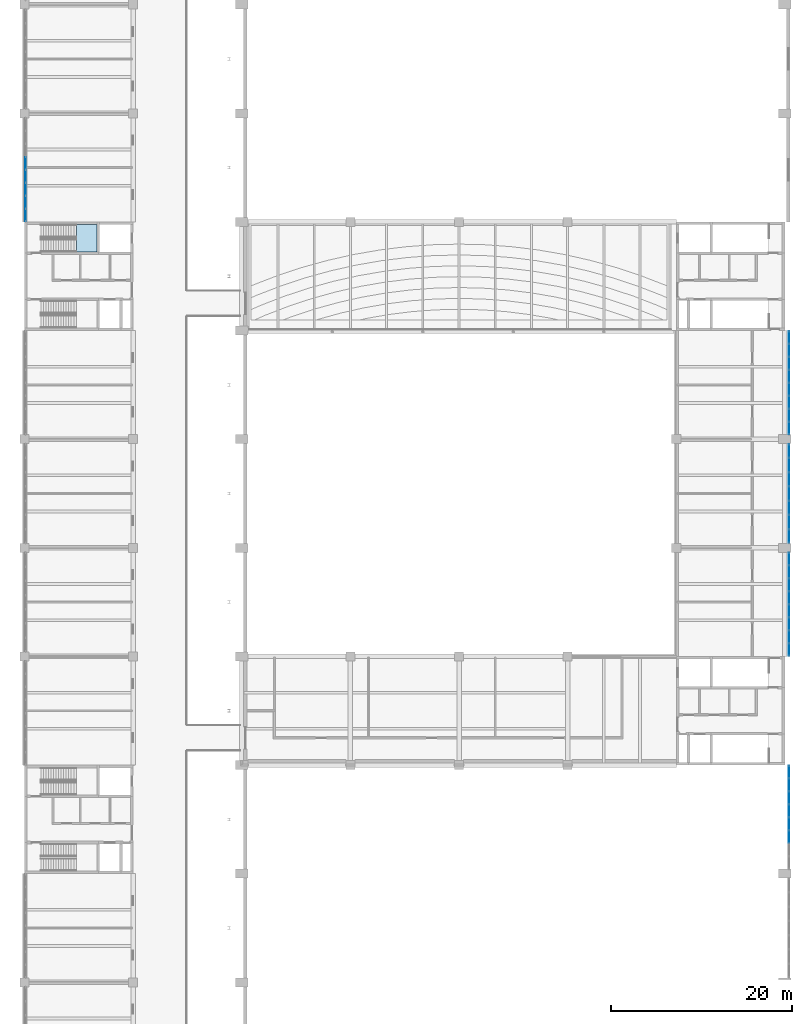
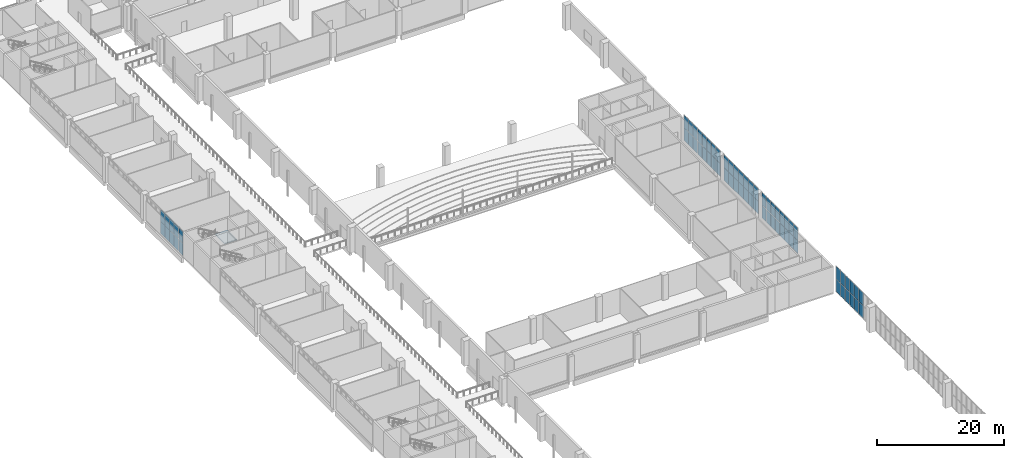
# One storey, part 47 of 69: 68 plates, 1 slab, 6 elements without a shape of their own.
"""IFC4 building model written with IfcOpenShell, lengths in metres."""

from ifc_helpers import new_model, si_unit, direction, frame, origin, origin_2d, place, context, subcontext, project, spatial, polyline, rectangle, outline, extrude, material, layer, layer_set, type_object, element, aggregate, save


model = new_model("IFC4")

# Units and contexts
model_context = context("Model", 3, precision=1e-05, world=origin(), true_north=direction((0.0, 1.0)))
body_context = subcontext(model_context, "Body", "Model", "MODEL_VIEW")
ifc_project = project(units=[si_unit("LENGTHUNIT", "METRE"), si_unit("AREAUNIT", "SQUARE_METRE"), si_unit("VOLUMEUNIT", "CUBIC_METRE"), si_unit("PLANEANGLEUNIT", "RADIAN"), si_unit("MASSUNIT", "GRAM", prefix="KILO")], contexts=[model_context])

# Site, building, storey
site_placement = place(None, origin())
site = spatial("IfcSite", under=ifc_project, at=site_placement, CompositionType="ELEMENT")
building_placement = place(site_placement, origin())
building = spatial("IfcBuilding", under=site, at=building_placement, Name="Lilac Gate Convention Centre", CompositionType="ELEMENT")
storey_placement = place(building_placement, frame((0.0, 0.0, 12.0)))
storey = spatial("IfcBuildingStorey", under=building, at=storey_placement, Name="L02", CompositionType="ELEMENT", Elevation=12.0)

# Curtain wall, plates
ifc_material_1 = material(Name="Aluminium framed double glazing", Category="aluminium")
ifc_layer_1 = layer(ifc_material_1, 0.199951171875)
ifc_layer_set_1 = layer_set([ifc_layer_1], Name="Aluminium framed double glazing")
curtain_wall_type = type_object("IfcCurtainWallType", Name="Unitised curtain wall 1500", PredefinedType="NOTDEFINED", material=ifc_layer_set_1)
curtain_wall_1_placement = place(storey_placement, origin())
curtain_wall_1 = element("IfcCurtainWall", 1, at=curtain_wall_1_placement, inside=storey, type_object=curtain_wall_type, Name="Curtain wall PW L02 4", PredefinedType="NOTDEFINED")
ifc_material_2 = material(Name="Double glazed unit low emissivity")
ifc_layer_2 = layer(ifc_material_2, 0.028076171875)
ifc_layer_set_2 = layer_set([ifc_layer_2], Name="Double glazed unit low emissivity")
plate_type_1 = type_object("IfcPlateType", Name="Curtain wall glass panel 28", PredefinedType="CURTAIN_PANEL", material=ifc_layer_set_2)
plate_1_placement = place(storey_placement, frame((6.10009765625, 168.46875, 2.4052734375), z_axis=(0.0, 0.0, 1.0), x_axis=(0.0, -1.0, 0.0)))
plate_1 = element("IfcPlate", 2, at=plate_1_placement, type_object=plate_type_1, Name="CW panel 4.2", PredefinedType="CURTAIN_PANEL", context=body_context, shape_type="SweptSolid", body=[
    extrude(rectangle(XDim=1.37744140625, YDim=0.028076171875, at=origin_2d()), origin(), (0.0, 0.0, 1.0), 2.284912109375),
])
plate_2_placement = place(storey_placement, frame((6.10009765625, 167.03125, 2.4052734375), z_axis=(0.0, 0.0, 1.0), x_axis=(0.0, -1.0, 0.0)))
plate_2 = element("IfcPlate", 3, at=plate_2_placement, type_object=plate_type_1, Name="CW panel 5.2", PredefinedType="CURTAIN_PANEL", context=body_context, shape_type="SweptSolid", body=[
    extrude(rectangle(XDim=1.37744140625, YDim=0.028076171875, at=origin_2d()), origin(), (0.0, 0.0, 1.0), 2.284912109375),
])
plate_3_placement = place(storey_placement, frame((6.10009765625, 165.59375, 2.4052734375), z_axis=(0.0, 0.0, 1.0), x_axis=(0.0, -1.0, 0.0)))
plate_3 = element("IfcPlate", 4, at=plate_3_placement, type_object=plate_type_1, Name="CW panel 6.2", PredefinedType="CURTAIN_PANEL", context=body_context, shape_type="SweptSolid", body=[
    extrude(rectangle(XDim=1.37744140625, YDim=0.028076171875, at=origin_2d()), origin(), (0.0, 0.0, 1.0), 2.284912109375),
])
plate_4_placement = place(storey_placement, frame((6.10009765625, 164.15625, 2.4052734375), z_axis=(0.0, 0.0, 1.0), x_axis=(0.0, -1.0, 0.0)))
plate_4 = element("IfcPlate", 5, at=plate_4_placement, type_object=plate_type_1, Name="CW panel 7.2", PredefinedType="CURTAIN_PANEL", context=body_context, shape_type="SweptSolid", body=[
    extrude(rectangle(XDim=1.37744140625, YDim=0.028076171875, at=origin_2d()), origin(), (0.0, 0.0, 1.0), 2.284912109375),
])
plate_5_placement = place(storey_placement, frame((6.10009765625, 162.733642578125, 2.4052734375), z_axis=(0.0, 0.0, 1.0), x_axis=(0.0, -1.0, 0.0)))
plate_5 = element("IfcPlate", 6, at=plate_5_placement, type_object=plate_type_1, Name="CW panel 8.2", PredefinedType="CURTAIN_PANEL", context=body_context, shape_type="SweptSolid", body=[
    extrude(rectangle(XDim=1.347412109375, YDim=0.028076171875, at=origin_2d()), origin(), (0.0, 0.0, 1.0), 2.284912109375),
])

curtain_wall_2_placement = place(storey_placement, origin())
curtain_wall_2 = element("IfcCurtainWall", 7, at=curtain_wall_2_placement, inside=storey, type_object=curtain_wall_type, Name="Curtain wall HE L02 6", PredefinedType="NOTDEFINED")
plate_6_placement = place(storey_placement, frame((90.449951171875, 94.09375, 2.5302734375), z_axis=(0.0, 0.0, 1.0), x_axis=(0.0, 1.0, 0.0)))
plate_6 = element("IfcPlate", 8, at=plate_6_placement, type_object=plate_type_1, Name="CW panel 3.2", PredefinedType="CURTAIN_PANEL", context=body_context, shape_type="SweptSolid", body=[
    extrude(rectangle(XDim=1.37744140625, YDim=0.028076171875, at=origin_2d()), origin(), (0.0, 0.0, 1.0), 2.409912109375),
])
plate_7_placement = place(storey_placement, frame((90.449951171875, 95.53125, 2.5302734375), z_axis=(0.0, 0.0, 1.0), x_axis=(0.0, 1.0, 0.0)))
plate_7 = element("IfcPlate", 9, at=plate_7_placement, type_object=plate_type_1, Name="CW panel 4.2", PredefinedType="CURTAIN_PANEL", context=body_context, shape_type="SweptSolid", body=[
    extrude(rectangle(XDim=1.37744140625, YDim=0.028076171875, at=origin_2d()), origin(), (0.0, 0.0, 1.0), 2.409912109375),
])
plate_8_placement = place(storey_placement, frame((90.449951171875, 96.96875, 2.5302734375), z_axis=(0.0, 0.0, 1.0), x_axis=(0.0, 1.0, 0.0)))
plate_8 = element("IfcPlate", 10, at=plate_8_placement, type_object=plate_type_1, Name="CW panel 5.2", PredefinedType="CURTAIN_PANEL", context=body_context, shape_type="SweptSolid", body=[
    extrude(rectangle(XDim=1.37744140625, YDim=0.028076171875, at=origin_2d()), origin(), (0.0, 0.0, 1.0), 2.409912109375),
])
plate_9_placement = place(storey_placement, frame((90.449951171875, 98.40625, 2.5302734375), z_axis=(0.0, 0.0, 1.0), x_axis=(0.0, 1.0, 0.0)))
plate_9 = element("IfcPlate", 11, at=plate_9_placement, type_object=plate_type_1, Name="CW panel 6.2", PredefinedType="CURTAIN_PANEL", context=body_context, shape_type="SweptSolid", body=[
    extrude(rectangle(XDim=1.37744140625, YDim=0.028076171875, at=origin_2d()), origin(), (0.0, 0.0, 1.0), 2.409912109375),
])
plate_10_placement = place(storey_placement, frame((90.449951171875, 99.84375, 2.5302734375), z_axis=(0.0, 0.0, 1.0), x_axis=(0.0, 1.0, 0.0)))
plate_10 = element("IfcPlate", 12, at=plate_10_placement, type_object=plate_type_1, Name="CW panel 7.2", PredefinedType="CURTAIN_PANEL", context=body_context, shape_type="SweptSolid", body=[
    extrude(rectangle(XDim=1.37744140625, YDim=0.028076171875, at=origin_2d()), origin(), (0.0, 0.0, 1.0), 2.409912109375),
])
plate_11_placement = place(storey_placement, frame((90.449951171875, 101.266357421875, 2.5302734375), z_axis=(0.0, 0.0, 1.0), x_axis=(0.0, 1.0, 0.0)))
plate_11 = element("IfcPlate", 13, at=plate_11_placement, type_object=plate_type_1, Name="CW panel 8.2", PredefinedType="CURTAIN_PANEL", context=body_context, shape_type="SweptSolid", body=[
    extrude(rectangle(XDim=1.347412109375, YDim=0.028076171875, at=origin_2d()), origin(), (0.0, 0.0, 1.0), 2.409912109375),
])

curtain_wall_3_placement = place(storey_placement, origin())
curtain_wall_3 = element("IfcCurtainWall", 14, at=curtain_wall_3_placement, inside=storey, type_object=curtain_wall_type, Name="Curtain wall HE L02 7", PredefinedType="NOTDEFINED")
plate_12_placement = place(storey_placement, frame((90.449951171875, 114.733642578125, 2.5302734375), z_axis=(0.0, 0.0, 1.0), x_axis=(0.0, 1.0, 0.0)))
plate_12 = element("IfcPlate", 15, at=plate_12_placement, type_object=plate_type_1, Name="CW panel 1.2", PredefinedType="CURTAIN_PANEL", context=body_context, shape_type="SweptSolid", body=[
    extrude(rectangle(XDim=1.347412109375, YDim=0.028076171875, at=origin_2d()), origin(), (0.0, 0.0, 1.0), 2.409912109375),
])
plate_13_placement = place(storey_placement, frame((90.449951171875, 116.15625, 2.5302734375), z_axis=(0.0, 0.0, 1.0), x_axis=(0.0, 1.0, 0.0)))
plate_13 = element("IfcPlate", 16, at=plate_13_placement, type_object=plate_type_1, Name="CW panel 2.2", PredefinedType="CURTAIN_PANEL", context=body_context, shape_type="SweptSolid", body=[
    extrude(rectangle(XDim=1.37744140625, YDim=0.028076171875, at=origin_2d()), origin(), (0.0, 0.0, 1.0), 2.409912109375),
])
plate_14_placement = place(storey_placement, frame((90.449951171875, 117.59375, 2.5302734375), z_axis=(0.0, 0.0, 1.0), x_axis=(0.0, 1.0, 0.0)))
plate_14 = element("IfcPlate", 17, at=plate_14_placement, type_object=plate_type_1, Name="CW panel 3.2", PredefinedType="CURTAIN_PANEL", context=body_context, shape_type="SweptSolid", body=[
    extrude(rectangle(XDim=1.37744140625, YDim=0.028076171875, at=origin_2d()), origin(), (0.0, 0.0, 1.0), 2.409912109375),
])
plate_15_placement = place(storey_placement, frame((90.449951171875, 119.03125, 2.5302734375), z_axis=(0.0, 0.0, 1.0), x_axis=(0.0, 1.0, 0.0)))
plate_15 = element("IfcPlate", 18, at=plate_15_placement, type_object=plate_type_1, Name="CW panel 4.2", PredefinedType="CURTAIN_PANEL", context=body_context, shape_type="SweptSolid", body=[
    extrude(rectangle(XDim=1.37744140625, YDim=0.028076171875, at=origin_2d()), origin(), (0.0, 0.0, 1.0), 2.409912109375),
])
plate_16_placement = place(storey_placement, frame((90.449951171875, 120.46875, 2.5302734375), z_axis=(0.0, 0.0, 1.0), x_axis=(0.0, 1.0, 0.0)))
plate_16 = element("IfcPlate", 19, at=plate_16_placement, type_object=plate_type_1, Name="CW panel 5.2", PredefinedType="CURTAIN_PANEL", context=body_context, shape_type="SweptSolid", body=[
    extrude(rectangle(XDim=1.37744140625, YDim=0.028076171875, at=origin_2d()), origin(), (0.0, 0.0, 1.0), 2.409912109375),
])
plate_17_placement = place(storey_placement, frame((90.449951171875, 121.90625, 2.5302734375), z_axis=(0.0, 0.0, 1.0), x_axis=(0.0, 1.0, 0.0)))
plate_17 = element("IfcPlate", 20, at=plate_17_placement, type_object=plate_type_1, Name="CW panel 6.2", PredefinedType="CURTAIN_PANEL", context=body_context, shape_type="SweptSolid", body=[
    extrude(rectangle(XDim=1.37744140625, YDim=0.028076171875, at=origin_2d()), origin(), (0.0, 0.0, 1.0), 2.409912109375),
])
plate_18_placement = place(storey_placement, frame((90.449951171875, 123.34375, 2.5302734375), z_axis=(0.0, 0.0, 1.0), x_axis=(0.0, 1.0, 0.0)))
plate_18 = element("IfcPlate", 21, at=plate_18_placement, type_object=plate_type_1, Name="CW panel 7.2", PredefinedType="CURTAIN_PANEL", context=body_context, shape_type="SweptSolid", body=[
    extrude(rectangle(XDim=1.37744140625, YDim=0.028076171875, at=origin_2d()), origin(), (0.0, 0.0, 1.0), 2.409912109375),
])
plate_19_placement = place(storey_placement, frame((90.449951171875, 124.766357421875, 2.5302734375), z_axis=(0.0, 0.0, 1.0), x_axis=(0.0, 1.0, 0.0)))
plate_19 = element("IfcPlate", 22, at=plate_19_placement, type_object=plate_type_1, Name="CW panel 8.2", PredefinedType="CURTAIN_PANEL", context=body_context, shape_type="SweptSolid", body=[
    extrude(rectangle(XDim=1.347412109375, YDim=0.028076171875, at=origin_2d()), origin(), (0.0, 0.0, 1.0), 2.409912109375),
])

curtain_wall_4_placement = place(storey_placement, origin())
curtain_wall_4 = element("IfcCurtainWall", 23, at=curtain_wall_4_placement, inside=storey, type_object=curtain_wall_type, Name="Curtain wall HE L02 8", PredefinedType="NOTDEFINED")
plate_20_placement = place(storey_placement, frame((90.449951171875, 127.30078125, 2.5302734375), z_axis=(0.0, 0.0, 1.0), x_axis=(0.0, 1.0, 0.0)))
plate_20 = element("IfcPlate", 24, at=plate_20_placement, type_object=plate_type_1, Name="CW panel 1.2", PredefinedType="CURTAIN_PANEL", context=body_context, shape_type="SweptSolid", body=[
    extrude(rectangle(XDim=1.4814453125, YDim=0.028076171875, at=origin_2d()), origin(), (0.0, 0.0, 1.0), 2.409912109375),
])
plate_21_placement = place(storey_placement, frame((90.449951171875, 128.857177734375, 2.5302734375), z_axis=(0.0, 0.0, 1.0), x_axis=(0.0, 1.0, 0.0)))
plate_21 = element("IfcPlate", 25, at=plate_21_placement, type_object=plate_type_1, Name="CW panel 2.2", PredefinedType="CURTAIN_PANEL", context=body_context, shape_type="SweptSolid", body=[
    extrude(rectangle(XDim=1.511474609375, YDim=0.028076171875, at=origin_2d()), origin(), (0.0, 0.0, 1.0), 2.409912109375),
])
plate_22_placement = place(storey_placement, frame((90.449951171875, 130.428466796875, 2.5302734375), z_axis=(0.0, 0.0, 1.0), x_axis=(0.0, 1.0, 0.0)))
plate_22 = element("IfcPlate", 26, at=plate_22_placement, type_object=plate_type_1, Name="CW panel 3.2", PredefinedType="CURTAIN_PANEL", context=body_context, shape_type="SweptSolid", body=[
    extrude(rectangle(XDim=1.511474609375, YDim=0.028076171875, at=origin_2d()), origin(), (0.0, 0.0, 1.0), 2.409912109375),
])
plate_23_placement = place(storey_placement, frame((90.449951171875, 132.0, 2.5302734375), z_axis=(0.0, 0.0, 1.0), x_axis=(0.0, 1.0, 0.0)))
plate_23 = element("IfcPlate", 27, at=plate_23_placement, type_object=plate_type_1, Name="CW panel 4.2", PredefinedType="CURTAIN_PANEL", context=body_context, shape_type="SweptSolid", body=[
    extrude(rectangle(XDim=1.511474609375, YDim=0.028076171875, at=origin_2d()), origin(), (0.0, 0.0, 1.0), 2.409912109375),
])
plate_24_placement = place(storey_placement, frame((90.449951171875, 133.571533203125, 2.5302734375), z_axis=(0.0, 0.0, 1.0), x_axis=(0.0, 1.0, 0.0)))
plate_24 = element("IfcPlate", 28, at=plate_24_placement, type_object=plate_type_1, Name="CW panel 5.2", PredefinedType="CURTAIN_PANEL", context=body_context, shape_type="SweptSolid", body=[
    extrude(rectangle(XDim=1.511474609375, YDim=0.028076171875, at=origin_2d()), origin(), (0.0, 0.0, 1.0), 2.409912109375),
])
plate_25_placement = place(storey_placement, frame((90.449951171875, 135.142822265625, 2.5302734375), z_axis=(0.0, 0.0, 1.0), x_axis=(0.0, 1.0, 0.0)))
plate_25 = element("IfcPlate", 29, at=plate_25_placement, type_object=plate_type_1, Name="CW panel 6.2", PredefinedType="CURTAIN_PANEL", context=body_context, shape_type="SweptSolid", body=[
    extrude(rectangle(XDim=1.511474609375, YDim=0.028076171875, at=origin_2d()), origin(), (0.0, 0.0, 1.0), 2.409912109375),
])
plate_26_placement = place(storey_placement, frame((90.449951171875, 136.69921875, 2.5302734375), z_axis=(0.0, 0.0, 1.0), x_axis=(0.0, 1.0, 0.0)))
plate_26 = element("IfcPlate", 30, at=plate_26_placement, type_object=plate_type_1, Name="CW panel 7.2", PredefinedType="CURTAIN_PANEL", context=body_context, shape_type="SweptSolid", body=[
    extrude(rectangle(XDim=1.4814453125, YDim=0.028076171875, at=origin_2d()), origin(), (0.0, 0.0, 1.0), 2.409912109375),
])

curtain_wall_5_placement = place(storey_placement, origin())
curtain_wall_5 = element("IfcCurtainWall", 31, at=curtain_wall_5_placement, inside=storey, type_object=curtain_wall_type, Name="Curtain wall HE L02 9", PredefinedType="NOTDEFINED")
plate_27_placement = place(storey_placement, frame((90.449951171875, 139.233642578125, 2.5302734375), z_axis=(0.0, 0.0, 1.0), x_axis=(0.0, 1.0, 0.0)))
plate_27 = element("IfcPlate", 32, at=plate_27_placement, type_object=plate_type_1, Name="CW panel 1.2", PredefinedType="CURTAIN_PANEL", context=body_context, shape_type="SweptSolid", body=[
    extrude(rectangle(XDim=1.347412109375, YDim=0.028076171875, at=origin_2d()), origin(), (0.0, 0.0, 1.0), 2.409912109375),
])
plate_28_placement = place(storey_placement, frame((90.449951171875, 140.65625, 2.5302734375), z_axis=(0.0, 0.0, 1.0), x_axis=(0.0, 1.0, 0.0)))
plate_28 = element("IfcPlate", 33, at=plate_28_placement, type_object=plate_type_1, Name="CW panel 2.2", PredefinedType="CURTAIN_PANEL", context=body_context, shape_type="SweptSolid", body=[
    extrude(rectangle(XDim=1.37744140625, YDim=0.028076171875, at=origin_2d()), origin(), (0.0, 0.0, 1.0), 2.409912109375),
])
plate_29_placement = place(storey_placement, frame((90.449951171875, 142.09375, 2.5302734375), z_axis=(0.0, 0.0, 1.0), x_axis=(0.0, 1.0, 0.0)))
plate_29 = element("IfcPlate", 34, at=plate_29_placement, type_object=plate_type_1, Name="CW panel 3.2", PredefinedType="CURTAIN_PANEL", context=body_context, shape_type="SweptSolid", body=[
    extrude(rectangle(XDim=1.37744140625, YDim=0.028076171875, at=origin_2d()), origin(), (0.0, 0.0, 1.0), 2.409912109375),
])
plate_30_placement = place(storey_placement, frame((90.449951171875, 143.53125, 2.5302734375), z_axis=(0.0, 0.0, 1.0), x_axis=(0.0, 1.0, 0.0)))
plate_30 = element("IfcPlate", 35, at=plate_30_placement, type_object=plate_type_1, Name="CW panel 4.2", PredefinedType="CURTAIN_PANEL", context=body_context, shape_type="SweptSolid", body=[
    extrude(rectangle(XDim=1.37744140625, YDim=0.028076171875, at=origin_2d()), origin(), (0.0, 0.0, 1.0), 2.409912109375),
])
plate_31_placement = place(storey_placement, frame((90.449951171875, 144.96875, 2.5302734375), z_axis=(0.0, 0.0, 1.0), x_axis=(0.0, 1.0, 0.0)))
plate_31 = element("IfcPlate", 36, at=plate_31_placement, type_object=plate_type_1, Name="CW panel 5.2", PredefinedType="CURTAIN_PANEL", context=body_context, shape_type="SweptSolid", body=[
    extrude(rectangle(XDim=1.37744140625, YDim=0.028076171875, at=origin_2d()), origin(), (0.0, 0.0, 1.0), 2.409912109375),
])
plate_32_placement = place(storey_placement, frame((90.449951171875, 146.40625, 2.5302734375), z_axis=(0.0, 0.0, 1.0), x_axis=(0.0, 1.0, 0.0)))
plate_32 = element("IfcPlate", 37, at=plate_32_placement, type_object=plate_type_1, Name="CW panel 6.2", PredefinedType="CURTAIN_PANEL", context=body_context, shape_type="SweptSolid", body=[
    extrude(rectangle(XDim=1.37744140625, YDim=0.028076171875, at=origin_2d()), origin(), (0.0, 0.0, 1.0), 2.409912109375),
])
plate_33_placement = place(storey_placement, frame((90.449951171875, 147.84375, 2.5302734375), z_axis=(0.0, 0.0, 1.0), x_axis=(0.0, 1.0, 0.0)))
plate_33 = element("IfcPlate", 38, at=plate_33_placement, type_object=plate_type_1, Name="CW panel 7.2", PredefinedType="CURTAIN_PANEL", context=body_context, shape_type="SweptSolid", body=[
    extrude(rectangle(XDim=1.37744140625, YDim=0.028076171875, at=origin_2d()), origin(), (0.0, 0.0, 1.0), 2.409912109375),
])
plate_34_placement = place(storey_placement, frame((90.449951171875, 149.266357421875, 2.5302734375), z_axis=(0.0, 0.0, 1.0), x_axis=(0.0, 1.0, 0.0)))
plate_34 = element("IfcPlate", 39, at=plate_34_placement, type_object=plate_type_1, Name="CW panel 8.2", PredefinedType="CURTAIN_PANEL", context=body_context, shape_type="SweptSolid", body=[
    extrude(rectangle(XDim=1.347412109375, YDim=0.028076171875, at=origin_2d()), origin(), (0.0, 0.0, 1.0), 2.409912109375),
])

# Plate
ifc_material_3 = material(Name="Insulated aluminium spandrel panel", Category="aluminium")
ifc_layer_3 = layer(ifc_material_3, 0.028076171875)
ifc_layer_set_3 = layer_set([ifc_layer_3], Name="Insulated aluminium spandrel panel")
plate_type_2 = type_object("IfcPlateType", Name="Curtain wall spandrel panel 28", PredefinedType="CURTAIN_PANEL", material=ifc_layer_set_3)
plate_35_placement = place(storey_placement, frame((6.10009765625, 168.46875, 0.06005859375), z_axis=(0.0, 0.0, 1.0), x_axis=(0.0, -1.0, 0.0)))
plate_35 = element("IfcPlate", 40, at=plate_35_placement, type_object=plate_type_2, Name="CW spandrel 4.1", PredefinedType="CURTAIN_PANEL", context=body_context, shape_type="SweptSolid", body=[
    extrude(rectangle(XDim=1.37744140625, YDim=0.028076171875, at=origin_2d()), origin(), (0.0, 0.0, 1.0), 2.284912109375),
])

plate_36_placement = place(storey_placement, frame((6.10009765625, 167.03125, 0.06005859375), z_axis=(0.0, 0.0, 1.0), x_axis=(0.0, -1.0, 0.0)))
plate_36 = element("IfcPlate", 41, at=plate_36_placement, type_object=plate_type_2, Name="CW spandrel 5.1", PredefinedType="CURTAIN_PANEL", context=body_context, shape_type="SweptSolid", body=[
    extrude(rectangle(XDim=1.37744140625, YDim=0.028076171875, at=origin_2d()), origin(), (0.0, 0.0, 1.0), 2.284912109375),
])

plate_37_placement = place(storey_placement, frame((6.10009765625, 165.59375, 0.06005859375), z_axis=(0.0, 0.0, 1.0), x_axis=(0.0, -1.0, 0.0)))
plate_37 = element("IfcPlate", 42, at=plate_37_placement, type_object=plate_type_2, Name="CW spandrel 6.1", PredefinedType="CURTAIN_PANEL", context=body_context, shape_type="SweptSolid", body=[
    extrude(rectangle(XDim=1.37744140625, YDim=0.028076171875, at=origin_2d()), origin(), (0.0, 0.0, 1.0), 2.284912109375),
])

plate_38_placement = place(storey_placement, frame((6.10009765625, 164.15625, 0.06005859375), z_axis=(0.0, 0.0, 1.0), x_axis=(0.0, -1.0, 0.0)))
plate_38 = element("IfcPlate", 43, at=plate_38_placement, type_object=plate_type_2, Name="CW spandrel 7.1", PredefinedType="CURTAIN_PANEL", context=body_context, shape_type="SweptSolid", body=[
    extrude(rectangle(XDim=1.37744140625, YDim=0.028076171875, at=origin_2d()), origin(), (0.0, 0.0, 1.0), 2.284912109375),
])

plate_39_placement = place(storey_placement, frame((6.10009765625, 162.733642578125, 0.06005859375), z_axis=(0.0, 0.0, 1.0), x_axis=(0.0, -1.0, 0.0)))
plate_39 = element("IfcPlate", 44, at=plate_39_placement, type_object=plate_type_2, Name="CW spandrel 8.1", PredefinedType="CURTAIN_PANEL", context=body_context, shape_type="SweptSolid", body=[
    extrude(rectangle(XDim=1.347412109375, YDim=0.028076171875, at=origin_2d()), origin(), (0.0, 0.0, 1.0), 2.284912109375),
])

aggregate(curtain_wall_1, [plate_35, plate_1, plate_36, plate_2, plate_37, plate_3, plate_38, plate_4, plate_39, plate_5])

plate_40_placement = place(storey_placement, frame((90.449951171875, 94.09375, 0.06005859375), z_axis=(0.0, 0.0, 1.0), x_axis=(0.0, 1.0, 0.0)))
plate_40 = element("IfcPlate", 45, at=plate_40_placement, type_object=plate_type_2, Name="CW spandrel 3.1", PredefinedType="CURTAIN_PANEL", context=body_context, shape_type="SweptSolid", body=[
    extrude(rectangle(XDim=1.37744140625, YDim=0.028076171875, at=origin_2d()), origin(), (0.0, 0.0, 1.0), 2.409912109375),
])

plate_41_placement = place(storey_placement, frame((90.449951171875, 95.53125, 0.06005859375), z_axis=(0.0, 0.0, 1.0), x_axis=(0.0, 1.0, 0.0)))
plate_41 = element("IfcPlate", 46, at=plate_41_placement, type_object=plate_type_2, Name="CW spandrel 4.1", PredefinedType="CURTAIN_PANEL", context=body_context, shape_type="SweptSolid", body=[
    extrude(rectangle(XDim=1.37744140625, YDim=0.028076171875, at=origin_2d()), origin(), (0.0, 0.0, 1.0), 2.409912109375),
])

plate_42_placement = place(storey_placement, frame((90.449951171875, 96.96875, 0.06005859375), z_axis=(0.0, 0.0, 1.0), x_axis=(0.0, 1.0, 0.0)))
plate_42 = element("IfcPlate", 47, at=plate_42_placement, type_object=plate_type_2, Name="CW spandrel 5.1", PredefinedType="CURTAIN_PANEL", context=body_context, shape_type="SweptSolid", body=[
    extrude(rectangle(XDim=1.37744140625, YDim=0.028076171875, at=origin_2d()), origin(), (0.0, 0.0, 1.0), 2.409912109375),
])

plate_43_placement = place(storey_placement, frame((90.449951171875, 98.40625, 0.06005859375), z_axis=(0.0, 0.0, 1.0), x_axis=(0.0, 1.0, 0.0)))
plate_43 = element("IfcPlate", 48, at=plate_43_placement, type_object=plate_type_2, Name="CW spandrel 6.1", PredefinedType="CURTAIN_PANEL", context=body_context, shape_type="SweptSolid", body=[
    extrude(rectangle(XDim=1.37744140625, YDim=0.028076171875, at=origin_2d()), origin(), (0.0, 0.0, 1.0), 2.409912109375),
])

plate_44_placement = place(storey_placement, frame((90.449951171875, 99.84375, 0.06005859375), z_axis=(0.0, 0.0, 1.0), x_axis=(0.0, 1.0, 0.0)))
plate_44 = element("IfcPlate", 49, at=plate_44_placement, type_object=plate_type_2, Name="CW spandrel 7.1", PredefinedType="CURTAIN_PANEL", context=body_context, shape_type="SweptSolid", body=[
    extrude(rectangle(XDim=1.37744140625, YDim=0.028076171875, at=origin_2d()), origin(), (0.0, 0.0, 1.0), 2.409912109375),
])

plate_45_placement = place(storey_placement, frame((90.449951171875, 101.266357421875, 0.06005859375), z_axis=(0.0, 0.0, 1.0), x_axis=(0.0, 1.0, 0.0)))
plate_45 = element("IfcPlate", 50, at=plate_45_placement, type_object=plate_type_2, Name="CW spandrel 8.1", PredefinedType="CURTAIN_PANEL", context=body_context, shape_type="SweptSolid", body=[
    extrude(rectangle(XDim=1.347412109375, YDim=0.028076171875, at=origin_2d()), origin(), (0.0, 0.0, 1.0), 2.409912109375),
])

aggregate(curtain_wall_2, [plate_40, plate_6, plate_41, plate_7, plate_42, plate_8, plate_43, plate_9, plate_44, plate_10, plate_45, plate_11])

plate_46_placement = place(storey_placement, frame((90.449951171875, 114.733642578125, 0.06005859375), z_axis=(0.0, 0.0, 1.0), x_axis=(0.0, 1.0, 0.0)))
plate_46 = element("IfcPlate", 51, at=plate_46_placement, type_object=plate_type_2, Name="CW spandrel 1.1", PredefinedType="CURTAIN_PANEL", context=body_context, shape_type="SweptSolid", body=[
    extrude(rectangle(XDim=1.347412109375, YDim=0.028076171875, at=origin_2d()), origin(), (0.0, 0.0, 1.0), 2.409912109375),
])

plate_47_placement = place(storey_placement, frame((90.449951171875, 116.15625, 0.06005859375), z_axis=(0.0, 0.0, 1.0), x_axis=(0.0, 1.0, 0.0)))
plate_47 = element("IfcPlate", 52, at=plate_47_placement, type_object=plate_type_2, Name="CW spandrel 2.1", PredefinedType="CURTAIN_PANEL", context=body_context, shape_type="SweptSolid", body=[
    extrude(rectangle(XDim=1.37744140625, YDim=0.028076171875, at=origin_2d()), origin(), (0.0, 0.0, 1.0), 2.409912109375),
])

plate_48_placement = place(storey_placement, frame((90.449951171875, 117.59375, 0.06005859375), z_axis=(0.0, 0.0, 1.0), x_axis=(0.0, 1.0, 0.0)))
plate_48 = element("IfcPlate", 53, at=plate_48_placement, type_object=plate_type_2, Name="CW spandrel 3.1", PredefinedType="CURTAIN_PANEL", context=body_context, shape_type="SweptSolid", body=[
    extrude(rectangle(XDim=1.37744140625, YDim=0.028076171875, at=origin_2d()), origin(), (0.0, 0.0, 1.0), 2.409912109375),
])

plate_49_placement = place(storey_placement, frame((90.449951171875, 119.03125, 0.06005859375), z_axis=(0.0, 0.0, 1.0), x_axis=(0.0, 1.0, 0.0)))
plate_49 = element("IfcPlate", 54, at=plate_49_placement, type_object=plate_type_2, Name="CW spandrel 4.1", PredefinedType="CURTAIN_PANEL", context=body_context, shape_type="SweptSolid", body=[
    extrude(rectangle(XDim=1.37744140625, YDim=0.028076171875, at=origin_2d()), origin(), (0.0, 0.0, 1.0), 2.409912109375),
])

plate_50_placement = place(storey_placement, frame((90.449951171875, 120.46875, 0.06005859375), z_axis=(0.0, 0.0, 1.0), x_axis=(0.0, 1.0, 0.0)))
plate_50 = element("IfcPlate", 55, at=plate_50_placement, type_object=plate_type_2, Name="CW spandrel 5.1", PredefinedType="CURTAIN_PANEL", context=body_context, shape_type="SweptSolid", body=[
    extrude(rectangle(XDim=1.37744140625, YDim=0.028076171875, at=origin_2d()), origin(), (0.0, 0.0, 1.0), 2.409912109375),
])

plate_51_placement = place(storey_placement, frame((90.449951171875, 121.90625, 0.06005859375), z_axis=(0.0, 0.0, 1.0), x_axis=(0.0, 1.0, 0.0)))
plate_51 = element("IfcPlate", 56, at=plate_51_placement, type_object=plate_type_2, Name="CW spandrel 6.1", PredefinedType="CURTAIN_PANEL", context=body_context, shape_type="SweptSolid", body=[
    extrude(rectangle(XDim=1.37744140625, YDim=0.028076171875, at=origin_2d()), origin(), (0.0, 0.0, 1.0), 2.409912109375),
])

plate_52_placement = place(storey_placement, frame((90.449951171875, 123.34375, 0.06005859375), z_axis=(0.0, 0.0, 1.0), x_axis=(0.0, 1.0, 0.0)))
plate_52 = element("IfcPlate", 57, at=plate_52_placement, type_object=plate_type_2, Name="CW spandrel 7.1", PredefinedType="CURTAIN_PANEL", context=body_context, shape_type="SweptSolid", body=[
    extrude(rectangle(XDim=1.37744140625, YDim=0.028076171875, at=origin_2d()), origin(), (0.0, 0.0, 1.0), 2.409912109375),
])

plate_53_placement = place(storey_placement, frame((90.449951171875, 124.766357421875, 0.06005859375), z_axis=(0.0, 0.0, 1.0), x_axis=(0.0, 1.0, 0.0)))
plate_53 = element("IfcPlate", 58, at=plate_53_placement, type_object=plate_type_2, Name="CW spandrel 8.1", PredefinedType="CURTAIN_PANEL", context=body_context, shape_type="SweptSolid", body=[
    extrude(rectangle(XDim=1.347412109375, YDim=0.028076171875, at=origin_2d()), origin(), (0.0, 0.0, 1.0), 2.409912109375),
])

aggregate(curtain_wall_3, [plate_46, plate_12, plate_47, plate_13, plate_48, plate_14, plate_49, plate_15, plate_50, plate_16, plate_51, plate_17, plate_52, plate_18, plate_53, plate_19])

plate_54_placement = place(storey_placement, frame((90.449951171875, 127.30078125, 0.06005859375), z_axis=(0.0, 0.0, 1.0), x_axis=(0.0, 1.0, 0.0)))
plate_54 = element("IfcPlate", 59, at=plate_54_placement, type_object=plate_type_2, Name="CW spandrel 1.1", PredefinedType="CURTAIN_PANEL", context=body_context, shape_type="SweptSolid", body=[
    extrude(rectangle(XDim=1.4814453125, YDim=0.028076171875, at=origin_2d()), origin(), (0.0, 0.0, 1.0), 2.409912109375),
])

plate_55_placement = place(storey_placement, frame((90.449951171875, 128.857177734375, 0.06005859375), z_axis=(0.0, 0.0, 1.0), x_axis=(0.0, 1.0, 0.0)))
plate_55 = element("IfcPlate", 60, at=plate_55_placement, type_object=plate_type_2, Name="CW spandrel 2.1", PredefinedType="CURTAIN_PANEL", context=body_context, shape_type="SweptSolid", body=[
    extrude(rectangle(XDim=1.511474609375, YDim=0.028076171875, at=origin_2d()), origin(), (0.0, 0.0, 1.0), 2.409912109375),
])

plate_56_placement = place(storey_placement, frame((90.449951171875, 130.428466796875, 0.06005859375), z_axis=(0.0, 0.0, 1.0), x_axis=(0.0, 1.0, 0.0)))
plate_56 = element("IfcPlate", 61, at=plate_56_placement, type_object=plate_type_2, Name="CW spandrel 3.1", PredefinedType="CURTAIN_PANEL", context=body_context, shape_type="SweptSolid", body=[
    extrude(rectangle(XDim=1.511474609375, YDim=0.028076171875, at=origin_2d()), origin(), (0.0, 0.0, 1.0), 2.409912109375),
])

plate_57_placement = place(storey_placement, frame((90.449951171875, 132.0, 0.06005859375), z_axis=(0.0, 0.0, 1.0), x_axis=(0.0, 1.0, 0.0)))
plate_57 = element("IfcPlate", 62, at=plate_57_placement, type_object=plate_type_2, Name="CW spandrel 4.1", PredefinedType="CURTAIN_PANEL", context=body_context, shape_type="SweptSolid", body=[
    extrude(rectangle(XDim=1.511474609375, YDim=0.028076171875, at=origin_2d()), origin(), (0.0, 0.0, 1.0), 2.409912109375),
])

plate_58_placement = place(storey_placement, frame((90.449951171875, 133.571533203125, 0.06005859375), z_axis=(0.0, 0.0, 1.0), x_axis=(0.0, 1.0, 0.0)))
plate_58 = element("IfcPlate", 63, at=plate_58_placement, type_object=plate_type_2, Name="CW spandrel 5.1", PredefinedType="CURTAIN_PANEL", context=body_context, shape_type="SweptSolid", body=[
    extrude(rectangle(XDim=1.511474609375, YDim=0.028076171875, at=origin_2d()), origin(), (0.0, 0.0, 1.0), 2.409912109375),
])

plate_59_placement = place(storey_placement, frame((90.449951171875, 135.142822265625, 0.06005859375), z_axis=(0.0, 0.0, 1.0), x_axis=(0.0, 1.0, 0.0)))
plate_59 = element("IfcPlate", 64, at=plate_59_placement, type_object=plate_type_2, Name="CW spandrel 6.1", PredefinedType="CURTAIN_PANEL", context=body_context, shape_type="SweptSolid", body=[
    extrude(rectangle(XDim=1.511474609375, YDim=0.028076171875, at=origin_2d()), origin(), (0.0, 0.0, 1.0), 2.409912109375),
])

plate_60_placement = place(storey_placement, frame((90.449951171875, 136.69921875, 0.06005859375), z_axis=(0.0, 0.0, 1.0), x_axis=(0.0, 1.0, 0.0)))
plate_60 = element("IfcPlate", 65, at=plate_60_placement, type_object=plate_type_2, Name="CW spandrel 7.1", PredefinedType="CURTAIN_PANEL", context=body_context, shape_type="SweptSolid", body=[
    extrude(rectangle(XDim=1.4814453125, YDim=0.028076171875, at=origin_2d()), origin(), (0.0, 0.0, 1.0), 2.409912109375),
])

aggregate(curtain_wall_4, [plate_54, plate_20, plate_55, plate_21, plate_56, plate_22, plate_57, plate_23, plate_58, plate_24, plate_59, plate_25, plate_60, plate_26])

plate_61_placement = place(storey_placement, frame((90.449951171875, 139.233642578125, 0.06005859375), z_axis=(0.0, 0.0, 1.0), x_axis=(0.0, 1.0, 0.0)))
plate_61 = element("IfcPlate", 66, at=plate_61_placement, type_object=plate_type_2, Name="CW spandrel 1.1", PredefinedType="CURTAIN_PANEL", context=body_context, shape_type="SweptSolid", body=[
    extrude(rectangle(XDim=1.347412109375, YDim=0.028076171875, at=origin_2d()), origin(), (0.0, 0.0, 1.0), 2.409912109375),
])

plate_62_placement = place(storey_placement, frame((90.449951171875, 140.65625, 0.06005859375), z_axis=(0.0, 0.0, 1.0), x_axis=(0.0, 1.0, 0.0)))
plate_62 = element("IfcPlate", 67, at=plate_62_placement, type_object=plate_type_2, Name="CW spandrel 2.1", PredefinedType="CURTAIN_PANEL", context=body_context, shape_type="SweptSolid", body=[
    extrude(rectangle(XDim=1.37744140625, YDim=0.028076171875, at=origin_2d()), origin(), (0.0, 0.0, 1.0), 2.409912109375),
])

plate_63_placement = place(storey_placement, frame((90.449951171875, 142.09375, 0.06005859375), z_axis=(0.0, 0.0, 1.0), x_axis=(0.0, 1.0, 0.0)))
plate_63 = element("IfcPlate", 68, at=plate_63_placement, type_object=plate_type_2, Name="CW spandrel 3.1", PredefinedType="CURTAIN_PANEL", context=body_context, shape_type="SweptSolid", body=[
    extrude(rectangle(XDim=1.37744140625, YDim=0.028076171875, at=origin_2d()), origin(), (0.0, 0.0, 1.0), 2.409912109375),
])

plate_64_placement = place(storey_placement, frame((90.449951171875, 143.53125, 0.06005859375), z_axis=(0.0, 0.0, 1.0), x_axis=(0.0, 1.0, 0.0)))
plate_64 = element("IfcPlate", 69, at=plate_64_placement, type_object=plate_type_2, Name="CW spandrel 4.1", PredefinedType="CURTAIN_PANEL", context=body_context, shape_type="SweptSolid", body=[
    extrude(rectangle(XDim=1.37744140625, YDim=0.028076171875, at=origin_2d()), origin(), (0.0, 0.0, 1.0), 2.409912109375),
])

plate_65_placement = place(storey_placement, frame((90.449951171875, 144.96875, 0.06005859375), z_axis=(0.0, 0.0, 1.0), x_axis=(0.0, 1.0, 0.0)))
plate_65 = element("IfcPlate", 70, at=plate_65_placement, type_object=plate_type_2, Name="CW spandrel 5.1", PredefinedType="CURTAIN_PANEL", context=body_context, shape_type="SweptSolid", body=[
    extrude(rectangle(XDim=1.37744140625, YDim=0.028076171875, at=origin_2d()), origin(), (0.0, 0.0, 1.0), 2.409912109375),
])

plate_66_placement = place(storey_placement, frame((90.449951171875, 146.40625, 0.06005859375), z_axis=(0.0, 0.0, 1.0), x_axis=(0.0, 1.0, 0.0)))
plate_66 = element("IfcPlate", 71, at=plate_66_placement, type_object=plate_type_2, Name="CW spandrel 6.1", PredefinedType="CURTAIN_PANEL", context=body_context, shape_type="SweptSolid", body=[
    extrude(rectangle(XDim=1.37744140625, YDim=0.028076171875, at=origin_2d()), origin(), (0.0, 0.0, 1.0), 2.409912109375),
])

plate_67_placement = place(storey_placement, frame((90.449951171875, 147.84375, 0.06005859375), z_axis=(0.0, 0.0, 1.0), x_axis=(0.0, 1.0, 0.0)))
plate_67 = element("IfcPlate", 72, at=plate_67_placement, type_object=plate_type_2, Name="CW spandrel 7.1", PredefinedType="CURTAIN_PANEL", context=body_context, shape_type="SweptSolid", body=[
    extrude(rectangle(XDim=1.37744140625, YDim=0.028076171875, at=origin_2d()), origin(), (0.0, 0.0, 1.0), 2.409912109375),
])

plate_68_placement = place(storey_placement, frame((90.449951171875, 149.266357421875, 0.06005859375), z_axis=(0.0, 0.0, 1.0), x_axis=(0.0, 1.0, 0.0)))
plate_68 = element("IfcPlate", 73, at=plate_68_placement, type_object=plate_type_2, Name="CW spandrel 8.1", PredefinedType="CURTAIN_PANEL", context=body_context, shape_type="SweptSolid", body=[
    extrude(rectangle(XDim=1.347412109375, YDim=0.028076171875, at=origin_2d()), origin(), (0.0, 0.0, 1.0), 2.409912109375),
])

aggregate(curtain_wall_5, [plate_61, plate_27, plate_62, plate_28, plate_63, plate_29, plate_64, plate_30, plate_65, plate_31, plate_66, plate_32, plate_67, plate_33, plate_68, plate_34])

# Stair, slab
ifc_material_4 = material(Name="Concrete C40", Category="concrete")
stair_type = type_object("IfcStairType", Name="Exit stair two flights", PredefinedType="HALF_TURN_STAIR", material=ifc_material_4)
stair_placement = place(storey_placement, origin())
stair = element("IfcStair", 74, at=stair_placement, inside=storey, type_object=stair_type, Name="Exit stair W3B L02 to L03", PredefinedType="HALF_TURN_STAIR")
ifc_layer_4 = layer(ifc_material_4, 0.199951171875)
ifc_layer_set_4 = layer_set([ifc_layer_4], Name="Concrete C40")
slab_type = type_object("IfcSlabType", Name="Stair landing 200 precast", PredefinedType="LANDING", material=ifc_layer_set_4)
slab_placement = place(storey_placement, frame((0.0, 0.0, 2.300048828125)))
slab = element("IfcSlab", 75, at=slab_placement, type_object=slab_type, Name="ST18 landing 1", PredefinedType="LANDING", context=body_context, shape_type="SweptSolid", body=[
    extrude(outline(polyline([(11.719970703125, 158.699951171875), (14.0, 158.699951171875), (14.0, 161.699951171875), (11.719970703125, 161.699951171875), (11.719970703125, 158.699951171875)])), origin(), (0.0, 0.0, 1.0), 0.199951171875),
])
aggregate(stair, [slab])

save(model, "model.ifc")
